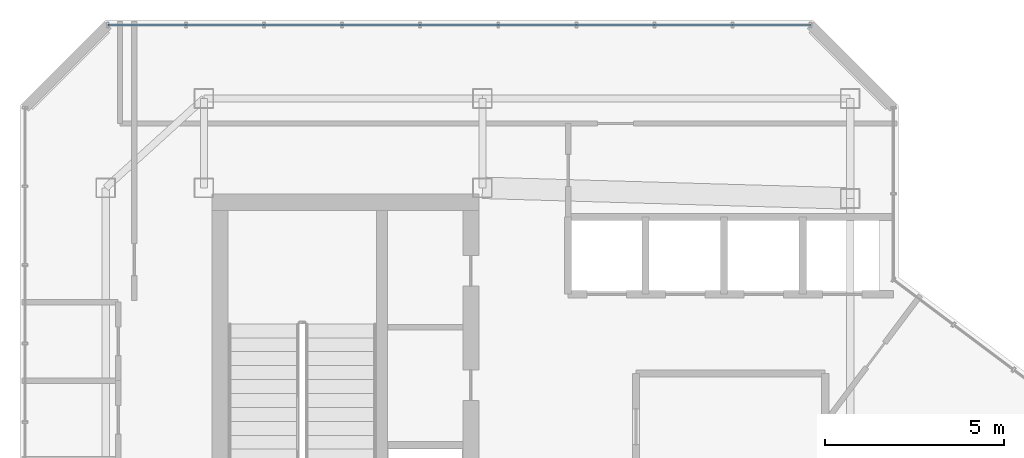
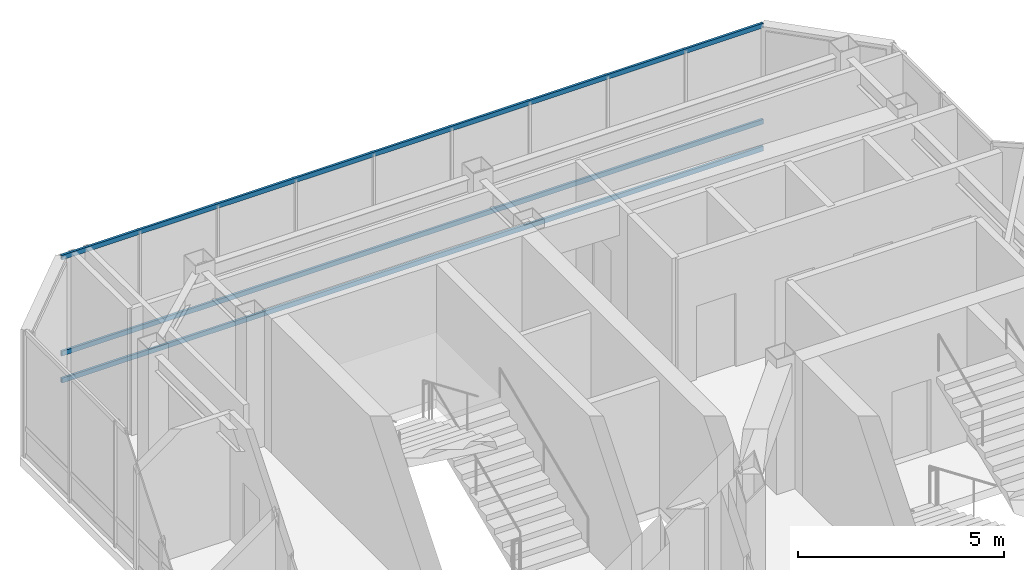
# One storey, part 15 of 23: 3 members, 1 element without a shape of its own.
"""IFC4 building model written with IfcOpenShell, lengths in metres."""

import ifcopenshell
import ifcopenshell.guid

model = None  # the IFC model being written
_history = None  # IfcOwnerHistory: only IFC2X3 demands one
_inside = {}  # id of a spatial element -> (the spatial element, [elements in it])
_under = {}  # id of a project, library or spatial element -> (it, [spatial elements below it])
_declared = {}  # id of a project -> (the project, [libraries it declares])
_typed = {}  # id of a type object -> (the type object, [elements of that type])
_made_of = {}  # id of a material, layer set ... -> (it, [elements and type objects made of it])


def new_model(schema):
    """Start an empty IFC model of exactly this schema.

    Asked for "IFC4X3", IfcOpenShell would pick the latest addendum, in which some entities
    have other attributes; the version numbers below select the first issue.
    IFC2X3 requires an IfcOwnerHistory on every rooted entity: one is made here for all.
    """
    global model, _history
    if schema == "IFC4X3":
        model = ifcopenshell.file(schema_version=(4, 3, 0, 0))
    else:
        model = ifcopenshell.file(schema=schema)
    _inside.clear()
    _under.clear()
    _declared.clear()
    _typed.clear()
    _made_of.clear()
    _history = None
    if model.schema == "IFC2X3":
        org = make("IfcOrganization", Name="unknown")
        user = make(
            "IfcPersonAndOrganization",
            ThePerson=make("IfcPerson", FamilyName="unknown"),
            TheOrganization=org,
        )
        app = make(
            "IfcApplication",
            ApplicationDeveloper=org,
            Version="unknown",
            ApplicationFullName="unknown",
            ApplicationIdentifier="unknown",
        )
        _history = make(
            "IfcOwnerHistory",
            OwningUser=user,
            OwningApplication=app,
            ChangeAction="ADDED",
            CreationDate=0,
        )
    return model


def make(cls, **values):
    """One entity of the class cls with the attributes given. An attribute that is None is left unset."""
    return model.create_entity(
        cls, **{name: value for name, value in values.items() if value is not None}
    )


def rooted(cls, **values):
    """An entity with a GlobalId (a new one), such as an element, a storey or a relation."""
    return make(cls, GlobalId=ifcopenshell.guid.new(), OwnerHistory=_history, **values)


def si_unit(unit_type, name, prefix=None):
    """IfcSIUnit, for example si_unit("LENGTHUNIT", "METRE", prefix="MILLI")."""
    return make("IfcSIUnit", UnitType=unit_type, Prefix=prefix, Name=name)


def assignment(units):
    """IfcUnitAssignment: the units of a project."""
    return None if units is None else make("IfcUnitAssignment", Units=units)


def point(xyz):
    """IfcCartesianPoint."""
    return None if xyz is None else make("IfcCartesianPoint", Coordinates=xyz)


def direction(xyz):
    """IfcDirection."""
    return None if xyz is None else make("IfcDirection", DirectionRatios=xyz)


def frame(location, z_axis=None, x_axis=None):
    """IfcAxis2Placement3D, a coordinate frame: its origin and axes. An axis left out is left unset."""
    return make(
        "IfcAxis2Placement3D",
        Location=point(location),
        Axis=direction(z_axis),
        RefDirection=direction(x_axis),
    )


def frame_2d(location, x_axis=None):
    """IfcAxis2Placement2D, a coordinate frame in the plane: its origin and x axis."""
    return make(
        "IfcAxis2Placement2D", Location=point(location), RefDirection=direction(x_axis)
    )


def origin():
    """The frame at (0, 0, 0) with its axes left unset."""
    return frame((0.0, 0.0, 0.0))


def origin_2d():
    """The frame at (0, 0) in the plane with its x axis left unset."""
    return frame_2d((0.0, 0.0))


def place(relative_to, where):
    """IfcLocalPlacement: puts the frame where relative to a parent placement (None: the world)."""
    return make(
        "IfcLocalPlacement", PlacementRelTo=relative_to, RelativePlacement=where
    )


def context(
    kind, dimensions, precision=None, world=None, true_north=None, identifier=None
):
    """IfcGeometricRepresentationContext, for example the 3D "Model" context."""
    return make(
        "IfcGeometricRepresentationContext",
        ContextIdentifier=identifier,
        ContextType=kind,
        CoordinateSpaceDimension=dimensions,
        Precision=precision,
        WorldCoordinateSystem=world,
        TrueNorth=true_north,
    )


def subcontext(parent, identifier, kind, view, scale=None):
    """IfcGeometricRepresentationSubContext, for example "Body" below "Model"."""
    return make(
        "IfcGeometricRepresentationSubContext",
        ContextIdentifier=identifier,
        ContextType=kind,
        ParentContext=parent,
        TargetScale=scale,
        TargetView=view,
    )


def project(units=None, contexts=None):
    """IfcProject with its units and contexts."""
    return rooted(
        "IfcProject",
        Name="project",
        RepresentationContexts=contexts,
        UnitsInContext=assignment(units),
    )


def spatial(cls, under=None, at=None, **own):
    """A site, building, storey or space (cls), placed at a placement, below another one or the project."""
    s = rooted(cls, ObjectPlacement=at, **own)
    if under is not None:
        _under.setdefault(under.id(), (under, []))[1].append(s)
    return s


def profile(cls, at=None, kind="AREA", **sizes):
    """A parametric profile (cls). Its sizes go by their IFC names, for example OverallWidth=200.0."""
    return make(cls, ProfileType=kind, Position=at, **sizes)


def hollow_rectangle(**sizes):
    """IfcRectangleHollowProfileDef."""
    return profile("IfcRectangleHollowProfileDef", **sizes)


def extrude(swept, where, along, depth):
    """IfcExtrudedAreaSolid: the profile swept, set in the frame where, extruded along a direction by depth."""
    return make(
        "IfcExtrudedAreaSolid",
        SweptArea=swept,
        Position=where,
        ExtrudedDirection=direction(along),
        Depth=depth,
    )


def shape(context_of_items, identifier, shape_type, items):
    """IfcShapeRepresentation: the items that make up one representation, for example the "Body"."""
    return make(
        "IfcShapeRepresentation",
        ContextOfItems=context_of_items,
        RepresentationIdentifier=identifier,
        RepresentationType=shape_type,
        Items=items,
    )


def material(Name=None, Category=None):
    """IfcMaterial."""
    return make("IfcMaterial", Name=Name, Category=Category)


def layer(
    of_material, thickness, ventilated=None, Name=None, Category=None, Priority=None
):
    """IfcMaterialLayer: one layer of a wall or slab, of a material (None: an air gap)."""
    return make(
        "IfcMaterialLayer",
        Material=of_material,
        LayerThickness=thickness,
        IsVentilated=ventilated,
        Name=Name,
        Category=Category,
        Priority=Priority,
    )


def layer_set(layers, Name=None):
    """IfcMaterialLayerSet."""
    return make("IfcMaterialLayerSet", MaterialLayers=layers, LayerSetName=Name)


def material_profile(
    of_material, cross_section, Name=None, Category=None, Priority=None
):
    """IfcMaterialProfile: a cross section and its material."""
    return make(
        "IfcMaterialProfile",
        Name=Name,
        Material=of_material,
        Profile=cross_section,
        Priority=Priority,
        Category=Category,
    )


def profile_set(profiles, Name=None, composite=None):
    """IfcMaterialProfileSet."""
    return make(
        "IfcMaterialProfileSet",
        Name=Name,
        MaterialProfiles=profiles,
        CompositeProfile=composite,
    )


def made_of(thing, what):
    """Note that an element or type object is made of a material, layer set ...; save() writes the relation."""
    if what is not None:
        _made_of.setdefault(what.id(), (what, []))[1].append(thing)
    return thing


def type_object(cls, material=None, **own):
    """A type object (cls), such as IfcWallType, which elements share."""
    return made_of(rooted(cls, **own), material)


def element(
    cls,
    number,
    at=None,
    inside=None,
    cuts=None,
    type_object=None,
    material=None,
    context=None,
    identifier="Body",
    shape_type=None,
    held_by="IfcProductDefinitionShape",
    body=None,
    shapes=None,
    **own,
):
    """One element of the class cls, such as IfcWall. Its Tag is "e" and its number.

    at: its placement. inside: the storey or other place that contains it. cuts: it is an
    opening in that element (IfcRelVoidsElement). A single representation is given by context,
    identifier, shape_type and body (its items); several are given by shapes. held_by: the class
    of the entity that holds the representations. save() writes the other relations.
    """
    e = rooted(cls, Tag="e%d" % number, ObjectPlacement=at, **own)
    if body is not None:
        shapes = [shape(context, identifier, shape_type, body)]
    if shapes is not None:
        e.Representation = make(held_by, Representations=shapes)
    if inside is not None:
        _inside.setdefault(inside.id(), (inside, []))[1].append(e)
    if cuts is not None:
        rooted(
            "IfcRelVoidsElement", RelatingBuildingElement=cuts, RelatedOpeningElement=e
        )
    if type_object is not None:
        _typed.setdefault(type_object.id(), (type_object, []))[1].append(e)
    return made_of(e, material)


def aggregate(whole, parts):
    """IfcRelAggregates: a whole, such as a stair, and the parts it consists of."""
    return rooted("IfcRelAggregates", RelatingObject=whole, RelatedObjects=parts)


def save(model, path):
    """Write the relations noted so far, then the file.

    IfcRelAggregates (storeys below a building ...), IfcRelContainedInSpatialStructure (elements
    in a storey), IfcRelDefinesByType, IfcRelAssociatesMaterial and IfcRelDeclares: one each for
    every whole, place, type object, material and project.
    """
    for whole, parts in _under.values():
        aggregate(whole, parts)
    for where, things in _inside.values():
        rooted(
            "IfcRelContainedInSpatialStructure",
            RelatedElements=things,
            RelatingStructure=where,
        )
    for kind, things in _typed.values():
        rooted("IfcRelDefinesByType", RelatedObjects=things, RelatingType=kind)
    for what, things in _made_of.values():
        rooted("IfcRelAssociatesMaterial", RelatedObjects=things, RelatingMaterial=what)
    for by, libraries in _declared.values():
        rooted("IfcRelDeclares", RelatingContext=by, RelatedDefinitions=libraries)
    model.write(path)


model = new_model("IFC4")

# Units and contexts
model_context = context("Model", 3, precision=1e-05, world=origin(), true_north=direction((0.0, 1.0)))
body_context = subcontext(model_context, "Body", "Model", "MODEL_VIEW")
ifc_project = project(units=[si_unit("LENGTHUNIT", "METRE"), si_unit("AREAUNIT", "SQUARE_METRE"), si_unit("VOLUMEUNIT", "CUBIC_METRE"), si_unit("PLANEANGLEUNIT", "RADIAN"), si_unit("MASSUNIT", "GRAM", prefix="KILO")], contexts=[model_context])

# Site, building, storey
site_placement = place(None, origin())
site = spatial("IfcSite", under=ifc_project, at=site_placement, CompositionType="ELEMENT")
building_placement = place(site_placement, origin())
building = spatial("IfcBuilding", under=site, at=building_placement, Name="Hatsunagi Terrace Concourse", CompositionType="ELEMENT")
storey_placement = place(building_placement, frame((0.0, 0.0, 281.949951171875)))
storey = spatial("IfcBuildingStorey", under=building, at=storey_placement, Name="L74", CompositionType="ELEMENT", Elevation=281.949951171875)

# Curtain wall, members
ifc_material_1 = material(Name="Anodised Aluminium Alloy 6063-T5", Category="aluminium")
ifc_layer = layer(ifc_material_1, 0.199951171875)
ifc_layer_set = layer_set([ifc_layer], Name="CrownWintergarden_CW06")
curtain_wall_type = type_object("IfcCurtainWallType", Name="CrownWintergarden_CW06", PredefinedType="NOTDEFINED", material=ifc_layer_set)
curtain_wall_placement = place(storey_placement, origin())
curtain_wall = element("IfcCurtainWall", 1, at=curtain_wall_placement, inside=storey, type_object=curtain_wall_type, Name="Unitised Curtain Wall CW-06 CW-L74-09", PredefinedType="NOTDEFINED")
ifc_material_2 = material(Name="Anodised Aluminium Alloy 6063-T5", Category="aluminium")
ifc_material_profile = material_profile(ifc_material_2, hollow_rectangle(XDim=0.06494140625, YDim=0.139892578125, WallThickness=0.00390625, at=origin_2d()), Name="ALU-TRN-140x65x4")
ifc_profile_set = profile_set([ifc_material_profile], Name="Anodised Aluminium Alloy 6063-T5")
member_type = type_object("IfcMemberType", Name="CurtainWallTransom_140x65", PredefinedType="USERDEFINED", material=ifc_profile_set)
member_1_placement = place(storey_placement, frame((22.85791015625, 47.860107421875, 0.050048828125), z_axis=(1.0, 0.0, 0.0), x_axis=(0.0, 1.0, 0.0)))
member_1 = element("IfcMember", 2, at=member_1_placement, type_object=member_type, Name="Curtain Wall Transom TRN-02", ObjectType="TRANSOM", PredefinedType="USERDEFINED", context=body_context, shape_type="SweptSolid", body=[
    extrude(hollow_rectangle(XDim=0.06494140625, YDim=0.139892578125, WallThickness=0.00390625, at=origin_2d()), origin(), (0.0, 0.0, 1.0), 19.68408203125),
])
member_2_placement = place(storey_placement, frame((22.85791015625, 47.860107421875, 0.85009765625), z_axis=(1.0, 0.0, 0.0), x_axis=(0.0, 1.0, 0.0)))
member_2 = element("IfcMember", 3, at=member_2_placement, type_object=member_type, Name="Curtain Wall Transom TRN-02", ObjectType="TRANSOM", PredefinedType="USERDEFINED", context=body_context, shape_type="SweptSolid", body=[
    extrude(hollow_rectangle(XDim=0.06494140625, YDim=0.139892578125, WallThickness=0.00390625, at=origin_2d()), origin(), (0.0, 0.0, 1.0), 19.68408203125),
])
member_3_placement = place(storey_placement, frame((22.85791015625, 47.860107421875, 3.699951171875), z_axis=(1.0, 0.0, 0.0), x_axis=(0.0, 1.0, 0.0)))
member_3 = element("IfcMember", 4, at=member_3_placement, type_object=member_type, Name="Curtain Wall Transom TRN-02", ObjectType="TRANSOM", PredefinedType="USERDEFINED", context=body_context, shape_type="SweptSolid", body=[
    extrude(hollow_rectangle(XDim=0.06494140625, YDim=0.139892578125, WallThickness=0.00390625, at=origin_2d()), origin(), (0.0, 0.0, 1.0), 19.68408203125),
])
aggregate(curtain_wall, [member_1, member_2, member_3])

save(model, "model.ifc")
